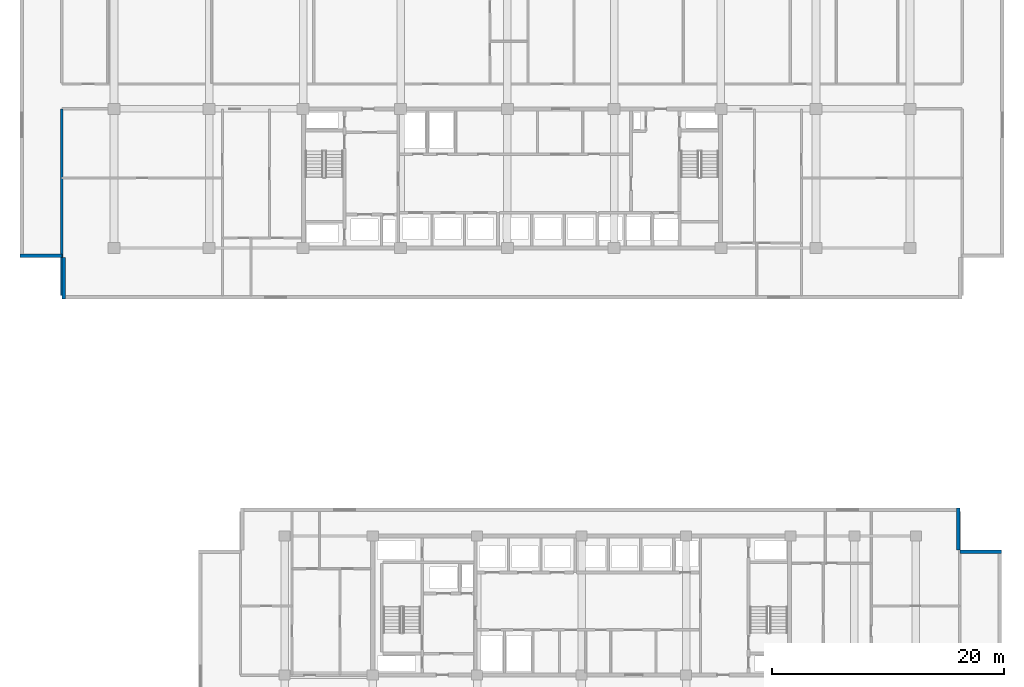
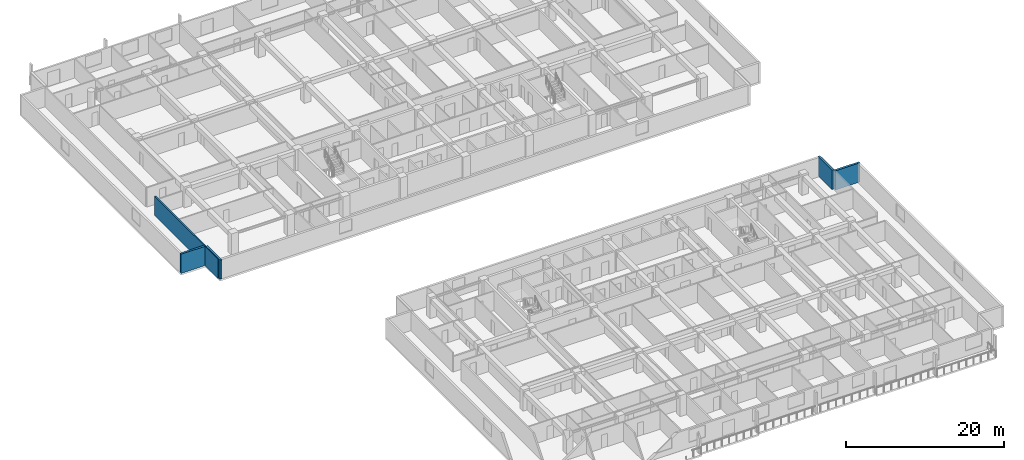
# One storey, part 9 of 23: 5 walls.
"""IFC4 building model written with IfcOpenShell, lengths in metres."""

from ifc_helpers import new_model, si_unit, direction, frame, frame_2d, origin, place, context, subcontext, project, spatial, rectangle, extrude, material, layer, layer_set, type_object, element, save


model = new_model("IFC4")

# Units and contexts
model_context = context("Model", 3, precision=1e-05, world=origin(), true_north=direction((0.0, 1.0)))
body_context = subcontext(model_context, "Body", "Model", "MODEL_VIEW")
ifc_project = project(units=[si_unit("LENGTHUNIT", "METRE"), si_unit("AREAUNIT", "SQUARE_METRE"), si_unit("VOLUMEUNIT", "CUBIC_METRE"), si_unit("PLANEANGLEUNIT", "RADIAN"), si_unit("MASSUNIT", "GRAM", prefix="KILO")], contexts=[model_context])

# Site, building, storey
site_placement = place(None, origin())
site = spatial("IfcSite", under=ifc_project, at=site_placement, CompositionType="ELEMENT")
building_placement = place(site_placement, origin())
building = spatial("IfcBuilding", under=site, at=building_placement, Name="Korimba Cascade Residences", CompositionType="ELEMENT")
storey_placement = place(building_placement, frame((0.0, 0.0, 56.5)))
storey = spatial("IfcBuildingStorey", under=building, at=storey_placement, Name="L15", CompositionType="ELEMENT", Elevation=56.5)

# Walls
ifc_material = material(Name="Precast concrete C40/50", Category="concrete")
ifc_layer_1 = layer(ifc_material, 0.300048828125)
ifc_layer_set_1 = layer_set([ifc_layer_1], Name="Precast concrete C40/50")
wall_type_1 = type_object("IfcWallType", Name="EW-STONE-300", PredefinedType="STANDARD", material=ifc_layer_set_1)
wall_1_placement = place(storey_placement, frame((51.699951171875, 54.550048828125, 0.0), z_axis=(0.0, 0.0, 1.0), x_axis=(1.0, 0.0, 0.0)))
element("IfcWall", 1, at=wall_1_placement, inside=storey, type_object=wall_type_1, Name="L15 T1 Perimeter Stone Wall E10", PredefinedType="STANDARD", context=body_context, shape_type="SweptSolid", body=[
    extrude(rectangle(XDim=3.60009765625, YDim=0.300048828125, at=frame_2d((1.800048828125, 0.0))), origin(), (0.0, 0.0, 1.0), 2.969970703125),
])
wall_2_placement = place(storey_placement, frame((55.449951171875, 54.39990234375, 0.0), z_axis=(0.0, 0.0, 1.0), x_axis=(0.0, -1.0, 0.0)))
element("IfcWall", 2, at=wall_2_placement, inside=storey, type_object=wall_type_1, Name="L15 T1 Perimeter Stone Wall E11", PredefinedType="STANDARD", context=body_context, shape_type="SweptSolid", body=[
    extrude(rectangle(XDim=3.599853515625, YDim=0.300048828125, at=frame_2d((1.7998046875, 0.0))), origin(), (0.0, 0.0, 1.0), 2.969970703125),
])
for number, where, z_axis, x_axis, name in (
    (3, (136.300048828125, 29.050048828125, 0.0), (0.0, 0.0, 1.0), (-1.0, 0.0, 0.0), "L15 T2 Perimeter Stone Wall E04"),
    (4, (132.550048828125, 29.199951171875, 0.0), (0.0, 0.0, 1.0), (0.0, 1.0, 0.0), "L15 T2 Perimeter Stone Wall E05"),
):
    element("IfcWall", number, at=place(storey_placement, frame(where, z_axis=z_axis, x_axis=x_axis)), inside=storey, type_object=wall_type_1, Name=name, PredefinedType="STANDARD", context=body_context, shape_type="SweptSolid", body=[
        extrude(rectangle(XDim=3.60009765625, YDim=0.300048828125, at=frame_2d((1.800048828125, 0.0))), origin(), (0.0, 0.0, 1.0), 2.969970703125),
    ])
ifc_layer_2 = layer(ifc_material, 0.199951171875)
ifc_layer_set_2 = layer_set([ifc_layer_2], Name="Precast concrete C40/50")
wall_type_2 = type_object("IfcWallType", Name="WAL-IT-200", PredefinedType="PARTITIONING", material=ifc_layer_set_2)
wall_3_placement = place(storey_placement, frame((55.300048828125, 51.10009765625, 0.0), z_axis=(0.0, 0.0, 1.0), x_axis=(0.0, 1.0, 0.0)))
element("IfcWall", 5, at=wall_3_placement, inside=storey, type_object=wall_type_2, Name="L15 Partition Wall WAL-L15-T1-FW-WL", PredefinedType="PARTITIONING", context=body_context, shape_type="SweptSolid", body=[
    extrude(rectangle(XDim=16.099853515625, YDim=0.199951171875, at=frame_2d((8.0498046875, 0.0))), origin(), (0.0, 0.0, 1.0), 2.969970703125),
])

save(model, "model.ifc")
